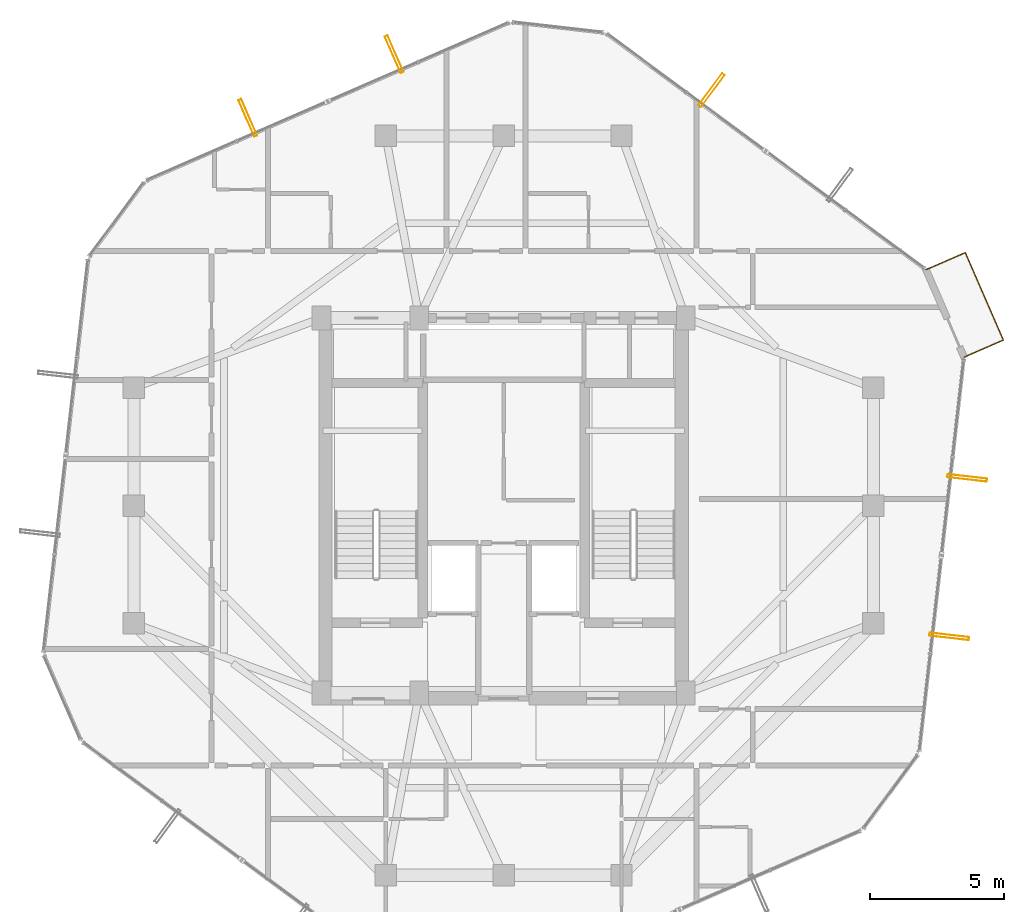
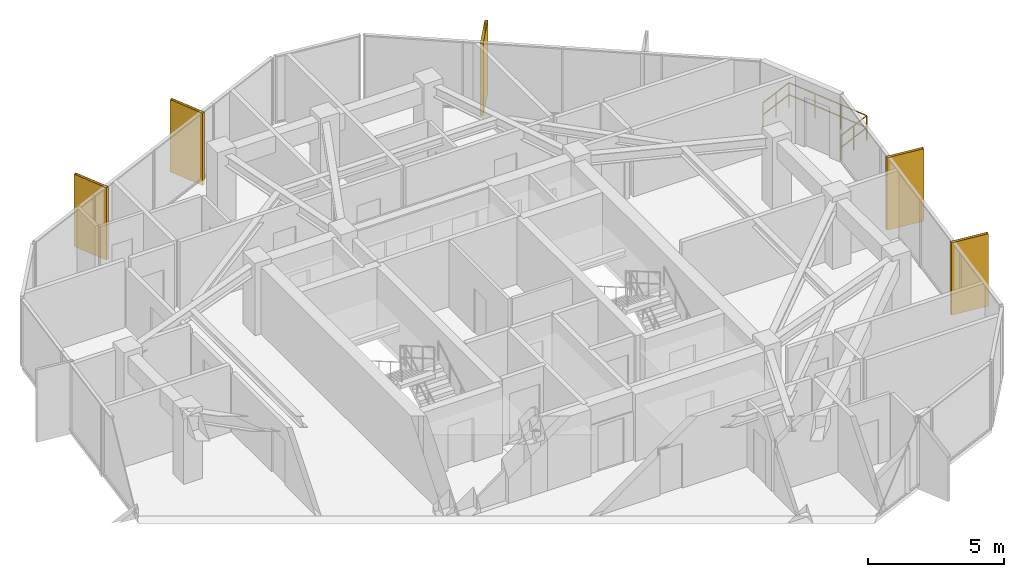
# One storey, part 30 of 30: 5 shading devices, 1 railing.
"""IFC4 building model written with IfcOpenShell, lengths in metres."""

from ifc_helpers import new_model, si_unit, direction, frame, origin, origin_2d, place, context, subcontext, project, spatial, hollow_rectangle, circle, extrude, material, material_profile, profile_set, type_object, element, save


model = new_model("IFC4")

# Units and contexts
model_context = context("Model", 3, precision=1e-05, world=origin(), true_north=direction((0.0, 1.0)))
body_context = subcontext(model_context, "Body", "Model", "MODEL_VIEW")
ifc_project = project(units=[si_unit("LENGTHUNIT", "METRE"), si_unit("AREAUNIT", "SQUARE_METRE"), si_unit("VOLUMEUNIT", "CUBIC_METRE"), si_unit("PLANEANGLEUNIT", "RADIAN"), si_unit("MASSUNIT", "GRAM", prefix="KILO")], contexts=[model_context])

# Site, building, storey
site_placement = place(None, origin())
site = spatial("IfcSite", under=ifc_project, at=site_placement, CompositionType="ELEMENT")
building_placement = place(site_placement, origin())
building = spatial("IfcBuilding", under=site, at=building_placement, Name="Veraguas Prism Commons", CompositionType="ELEMENT")
storey_placement = place(building_placement, frame((0.0, 0.0, 230.050048828125)))
storey = spatial("IfcBuildingStorey", under=building, at=storey_placement, Name="L65", CompositionType="ELEMENT", Elevation=230.050048828125)

# Shading devices
ifc_material_1 = material(Name="Anodised aluminium EN AW-6063 T6", Category="aluminium")
ifc_material_profile = material_profile(ifc_material_1, hollow_rectangle(XDim=0.1201171875, YDim=1.489990234375, WallThickness=0.006103515625, at=origin_2d()), Name="FIN120X1490X6")
ifc_profile_set = profile_set([ifc_material_profile], Name="Anodised aluminium EN AW-6063 T6")
shading_device_type = type_object("IfcShadingDeviceType", Name="Deep Pale-Metal Vertical Solar Fin 120x1490", PredefinedType="USERDEFINED", material=ifc_profile_set)
for number, where, z_axis, x_axis, name in (
    (1, (31.760498046875, 39.503173828125, -0.215087890625), (0.0, 0.0, 1.0), (-0.804063406288, 0.594543554896, 0.0), "Vertical Pale-Metal Solar Fin L65-F1B"),
    (2, (19.9140625, 40.8486328125, -0.215087890625), (0.0, 0.0, 1.0), (-0.916920132326, -0.399070759308, 0.0), "Vertical Pale-Metal Solar Fin L65-F2A"),
    (3, (14.4541015625, 38.472412109375, -0.215087890625), (0.0, 0.0, 1.0), (-0.916920132326, -0.399070759308, 0.0), "Vertical Pale-Metal Solar Fin L65-F2B"),
    (4, (40.63427734375, 19.1142578125, -0.215087890625), (0.0, 0.0, 1.0), (0.112861587409, 0.993610719592, 0.0), "Vertical Pale-Metal Solar Fin L65-F6A"),
    (5, (41.306396484375, 25.03076171875, -0.215087890625), (0.0, 0.0, 1.0), (0.112861587409, 0.993610719592, 0.0), "Vertical Pale-Metal Solar Fin L65-F6B"),
):
    element("IfcShadingDevice", number, at=place(storey_placement, frame(where, z_axis=z_axis, x_axis=x_axis)), inside=storey, type_object=shading_device_type, Name=name, ObjectType="FIN", PredefinedType="USERDEFINED", context=body_context, shape_type="SweptSolid", body=[
        extrude(hollow_rectangle(XDim=0.1201171875, YDim=1.489990234375, WallThickness=0.006103515625, at=origin_2d()), origin(), (0.0, 0.0, 1.0), 3.25),
    ])

# Railing
ifc_material_2 = material(Name="Stainless steel AISI 316", Category="steel")
railing_type = type_object("IfcRailingType", Name="Loggia and Sky Pool Glazed Balustrade 1120", PredefinedType="BALUSTRADE", material=ifc_material_2)
railing_placement = place(storey_placement, frame((41.189453125, 29.53857421875, 0.0)))
element("IfcRailing", 6, at=railing_placement, inside=storey, type_object=railing_type, Name="Recessed Corner Loggia L65-C1 Guard", PredefinedType="BALUSTRADE", context=body_context, shape_type="SweptSolid", body=[
    extrude(circle(Radius=0.02392578125, at=origin_2d()), frame((0.0, 0.0, 1.09619140625), z_axis=(0.916936576242, 0.399032975016, 0.0), x_axis=(-0.399032975016, 0.916936576242, 0.0)), (0.0, 0.0, 1.0), 1.599853515625),
    extrude(circle(Radius=0.02392578125, at=origin_2d()), frame((0.0, 0.0, 0.56005859375), z_axis=(0.916936576242, 0.399032975016, 0.0), x_axis=(-0.399032975016, 0.916936576242, 0.0)), (0.0, 0.0, 1.0), 1.599853515625),
    extrude(circle(Radius=0.02392578125, at=origin_2d()), frame((1.467041015625, 0.638427734375, 1.09619140625), z_axis=(-0.39904934273, 0.916929453157, 0.0), x_axis=(-0.916929453157, -0.39904934273, 0.0)), (0.0, 0.0, 1.0), 3.5625),
    extrude(circle(Radius=0.02392578125, at=origin_2d()), frame((1.467041015625, 0.638427734375, 0.56005859375), z_axis=(-0.39904934273, 0.916929453157, 0.0), x_axis=(-0.916929453157, -0.39904934273, 0.0)), (0.0, 0.0, 1.0), 3.5625),
    extrude(circle(Radius=0.02392578125, at=origin_2d()), frame((0.04541015625, 3.905029296875, 1.09619140625), z_axis=(-0.916960868256, -0.398977149832, 0.0), x_axis=(0.398977149832, -0.916960868256, 0.0)), (0.0, 0.0, 1.0), 1.60009765625),
    extrude(circle(Radius=0.02392578125, at=origin_2d()), frame((0.04541015625, 3.905029296875, 0.56005859375), z_axis=(-0.916960868256, -0.398977149832, 0.0), x_axis=(0.398977149832, -0.916960868256, 0.0)), (0.0, 0.0, 1.0), 1.60009765625),
    extrude(circle(Radius=0.02099609375, at=origin_2d()), origin(), (0.0, 0.0, 1.0), 1.072021484375),
    extrude(circle(Radius=0.02099609375, at=origin_2d()), frame((0.7333984375, 0.3193359375, 0.0)), (0.0, 0.0, 1.0), 1.072021484375),
    extrude(circle(Radius=0.02099609375, at=origin_2d()), frame((1.467041015625, 0.638427734375, 0.0)), (0.0, 0.0, 1.0), 1.072021484375),
    extrude(circle(Radius=0.02099609375, at=origin_2d()), frame((0.9931640625, 1.727294921875, 0.0)), (0.0, 0.0, 1.0), 1.072021484375),
    extrude(circle(Radius=0.02099609375, at=origin_2d()), frame((0.519287109375, 2.816162109375, 0.0)), (0.0, 0.0, 1.0), 1.072021484375),
    extrude(circle(Radius=0.02099609375, at=origin_2d()), frame((0.04541015625, 3.905029296875, 0.0)), (0.0, 0.0, 1.0), 1.072021484375),
    extrude(circle(Radius=0.02099609375, at=origin_2d()), frame((-0.688232421875, 3.5859375, 0.0)), (0.0, 0.0, 1.0), 1.072021484375),
    extrude(circle(Radius=0.02099609375, at=origin_2d()), frame((-1.421875, 3.2666015625, 0.0)), (0.0, 0.0, 1.0), 1.072021484375),
])

save(model, "model.ifc")
